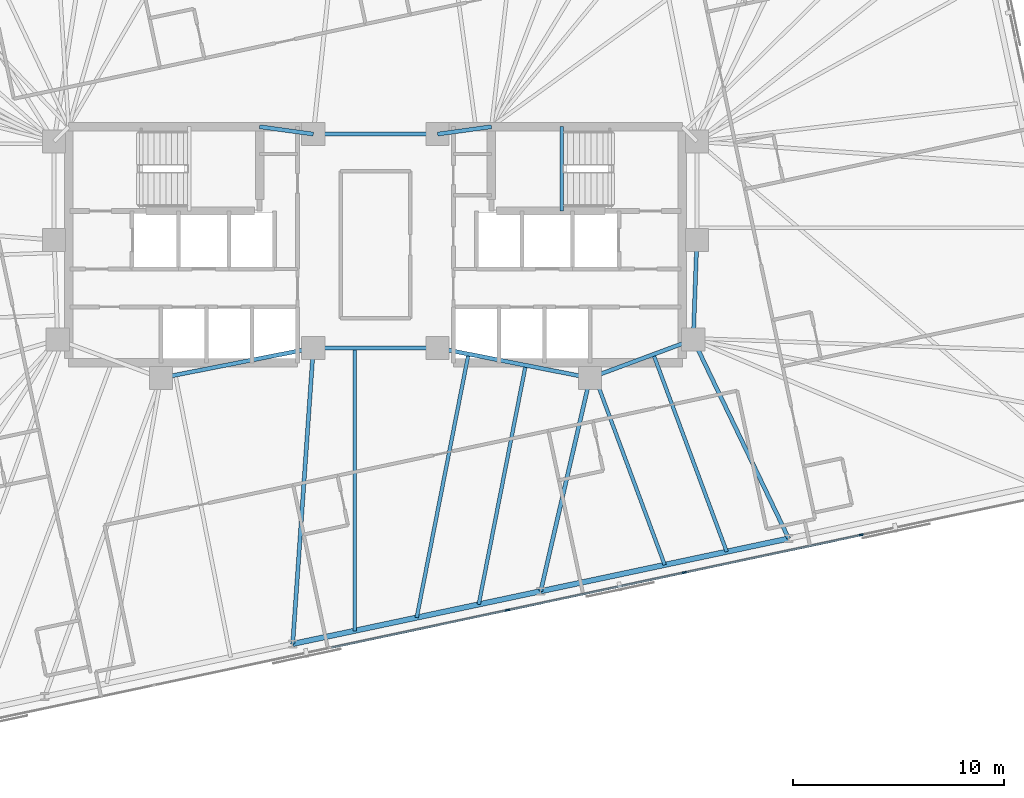
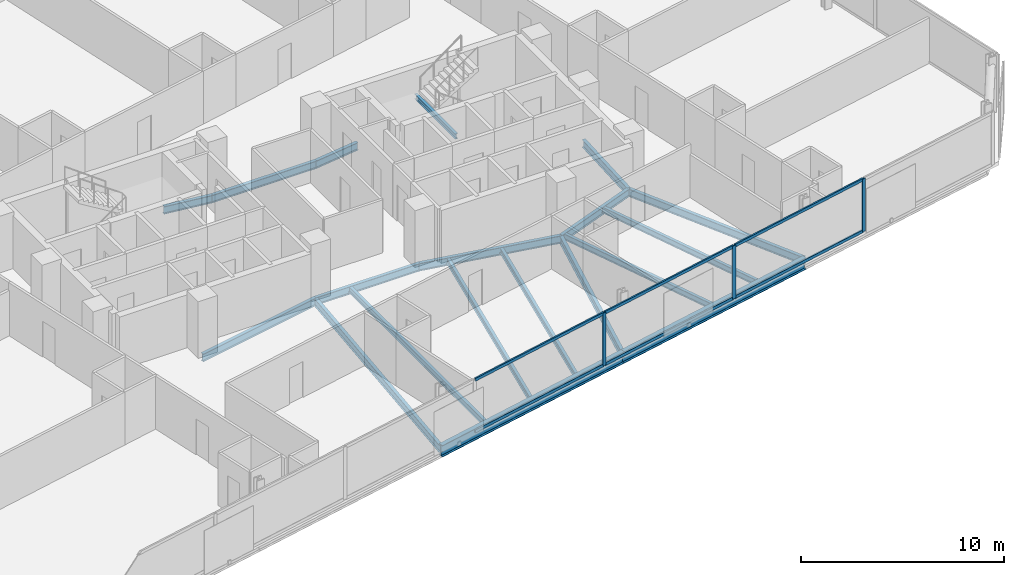
# One storey, part 7 of 19: 19 beams, 9 members, 1 element without a shape of its own.
"""IFC4 building model written with IfcOpenShell, lengths in metres."""

from ifc_helpers import new_model, si_unit, direction, frame, origin, origin_2d, place, context, subcontext, project, spatial, rectangle, i_section, extrude, material, material_profile, profile_set, type_object, element, aggregate, save


model = new_model("IFC4")

# Units and contexts
model_context = context("Model", 3, precision=1e-05, world=origin(), true_north=direction((0.0, 1.0)))
body_context = subcontext(model_context, "Body", "Model", "MODEL_VIEW")
ifc_project = project(units=[si_unit("LENGTHUNIT", "METRE"), si_unit("AREAUNIT", "SQUARE_METRE"), si_unit("VOLUMEUNIT", "CUBIC_METRE"), si_unit("PLANEANGLEUNIT", "RADIAN"), si_unit("MASSUNIT", "GRAM", prefix="KILO")], contexts=[model_context])

# Site, building, storey
site_placement = place(None, origin())
site = spatial("IfcSite", under=ifc_project, at=site_placement, CompositionType="ELEMENT")
building_placement = place(site_placement, origin())
building = spatial("IfcBuilding", under=site, at=building_placement, Name="Menara Jurai Vektor", CompositionType="ELEMENT")
storey_placement = place(building_placement, frame((0.0, 0.0, 154.800048828125)))
storey = spatial("IfcBuildingStorey", under=building, at=storey_placement, Name="L39", CompositionType="ELEMENT", Elevation=154.800048828125)

# Curtain wall, members
ifc_material_1 = material(Name="Anodised Pale Aluminium & Low-E Double Glazing", Category="aluminium")
curtain_wall_type = type_object("IfcCurtainWallType", Name="CW-BLK3", PredefinedType="NOTDEFINED", material=ifc_material_1)
curtain_wall_placement = place(storey_placement, origin())
curtain_wall = element("IfcCurtainWall", 1, at=curtain_wall_placement, inside=storey, type_object=curtain_wall_type, Name="Unitised Curtain Wall L39 F01", PredefinedType="NOTDEFINED")
ifc_material_2 = material(Name="Anodised Pale Aluminium Mullion", Category="aluminium")
ifc_material_profile_1 = material_profile(ifc_material_2, rectangle(XDim=0.0849609375, YDim=0.205078125, at=origin_2d()), Name="ALU MUL 85x205")
ifc_profile_set_1 = profile_set([ifc_material_profile_1], Name="Anodised Pale Aluminium Mullion")
member_type_1 = type_object("IfcMemberType", Name="CW-BLK3-MUL", PredefinedType="MULLION", material=ifc_profile_set_1)
member_1_placement = place(storey_placement, frame((6.264892578125, -17.338623046875, 0.0), z_axis=(0.0, 0.0, 1.0), x_axis=(-0.207911344156, 0.978147674419, 0.0)))
member_1 = element("IfcMember", 2, at=member_1_placement, type_object=member_type_1, Name="CW-03 mullion 5", PredefinedType="MULLION", context=body_context, shape_type="SweptSolid", body=[
    extrude(rectangle(XDim=0.0849609375, YDim=0.205078125, at=origin_2d()), origin(), (0.0, 0.0, 1.0), 3.175048828125),
])
member_2_placement = place(storey_placement, frame((14.65478515625, -15.55517578125, 0.0), z_axis=(0.0, 0.0, 1.0), x_axis=(-0.207911344156, 0.978147674419, 0.0)))
member_2 = element("IfcMember", 3, at=member_2_placement, type_object=member_type_1, Name="CW-03 mullion 6", PredefinedType="MULLION", context=body_context, shape_type="SweptSolid", body=[
    extrude(rectangle(XDim=0.0849609375, YDim=0.205078125, at=origin_2d()), origin(), (0.0, 0.0, 1.0), 3.175048828125),
])
member_3_placement = place(storey_placement, frame((23.04443359375, -13.77197265625, 0.0), z_axis=(0.0, 0.0, 1.0), x_axis=(-0.207911344156, 0.978147674419, 0.0)))
member_3 = element("IfcMember", 4, at=member_3_placement, type_object=member_type_1, Name="CW-03 mullion 7", PredefinedType="MULLION", context=body_context, shape_type="SweptSolid", body=[
    extrude(rectangle(XDim=0.0849609375, YDim=0.205078125, at=origin_2d()), origin(), (0.0, 0.0, 1.0), 3.175048828125),
])
ifc_material_3 = material(Name="Anodised Pale Aluminium Transom", Category="aluminium")
ifc_material_profile_2 = material_profile(ifc_material_3, rectangle(XDim=0.0849609375, YDim=0.175048828125, at=origin_2d()), Name="ALU TRN 85x175")
ifc_profile_set_2 = profile_set([ifc_material_profile_2], Name="Anodised Pale Aluminium Transom")
member_type_2 = type_object("IfcMemberType", Name="CW-BLK3-TRN", PredefinedType="USERDEFINED", material=ifc_profile_set_2)
member_4_placement = place(storey_placement, frame((-2.083251953125, -19.113037109375, 0.04248046875), z_axis=(0.978147743708, 0.207911018178, 0.0), x_axis=(-0.207911018178, 0.978147743708, 0.0)))
member_4 = element("IfcMember", 5, at=member_4_placement, type_object=member_type_2, Name="CW-03 transom 4.1", ObjectType="TRANSOM", PredefinedType="USERDEFINED", context=body_context, shape_type="SweptSolid", body=[
    extrude(rectangle(XDim=0.0849609375, YDim=0.175048828125, at=origin_2d()), origin(), (0.0, 0.0, 1.0), 8.4921875),
])
member_5_placement = place(storey_placement, frame((-2.083251953125, -19.113037109375, 3.132568359375), z_axis=(0.978147743708, 0.207911018178, 0.0), x_axis=(-0.207911018178, 0.978147743708, 0.0)))
member_5 = element("IfcMember", 6, at=member_5_placement, type_object=member_type_2, Name="CW-03 transom 4.2", ObjectType="TRANSOM", PredefinedType="USERDEFINED", context=body_context, shape_type="SweptSolid", body=[
    extrude(rectangle(XDim=0.0849609375, YDim=0.175048828125, at=origin_2d()), origin(), (0.0, 0.0, 1.0), 8.4921875),
])
member_6_placement = place(storey_placement, frame((6.306640625, -17.329833984375, 0.04248046875), z_axis=(0.978146500933, 0.207916864907, 0.0), x_axis=(-0.207916864907, 0.978146500933, 0.0)))
member_6 = element("IfcMember", 7, at=member_6_placement, type_object=member_type_2, Name="CW-03 transom 5.1", ObjectType="TRANSOM", PredefinedType="USERDEFINED", context=body_context, shape_type="SweptSolid", body=[
    extrude(rectangle(XDim=0.0849609375, YDim=0.175048828125, at=origin_2d()), origin(), (0.0, 0.0, 1.0), 8.491943359375),
])
member_7_placement = place(storey_placement, frame((6.306640625, -17.329833984375, 3.132568359375), z_axis=(0.978146500933, 0.207916864907, 0.0), x_axis=(-0.207916864907, 0.978146500933, 0.0)))
member_7 = element("IfcMember", 8, at=member_7_placement, type_object=member_type_2, Name="CW-03 transom 5.2", ObjectType="TRANSOM", PredefinedType="USERDEFINED", context=body_context, shape_type="SweptSolid", body=[
    extrude(rectangle(XDim=0.0849609375, YDim=0.175048828125, at=origin_2d()), origin(), (0.0, 0.0, 1.0), 8.491943359375),
])
member_8_placement = place(storey_placement, frame((14.6962890625, -15.54638671875, 0.04248046875), z_axis=(0.978147743708, 0.207911018178, 0.0), x_axis=(-0.207911018178, 0.978147743708, 0.0)))
member_8 = element("IfcMember", 9, at=member_8_placement, type_object=member_type_2, Name="CW-03 transom 6.1", ObjectType="TRANSOM", PredefinedType="USERDEFINED", context=body_context, shape_type="SweptSolid", body=[
    extrude(rectangle(XDim=0.0849609375, YDim=0.175048828125, at=origin_2d()), origin(), (0.0, 0.0, 1.0), 8.4921875),
])
member_9_placement = place(storey_placement, frame((14.6962890625, -15.54638671875, 3.132568359375), z_axis=(0.978147743708, 0.207911018178, 0.0), x_axis=(-0.207911018178, 0.978147743708, 0.0)))
member_9 = element("IfcMember", 10, at=member_9_placement, type_object=member_type_2, Name="CW-03 transom 6.2", ObjectType="TRANSOM", PredefinedType="USERDEFINED", context=body_context, shape_type="SweptSolid", body=[
    extrude(rectangle(XDim=0.0849609375, YDim=0.175048828125, at=origin_2d()), origin(), (0.0, 0.0, 1.0), 8.4921875),
])
aggregate(curtain_wall, [member_1, member_2, member_3, member_4, member_5, member_6, member_7, member_8, member_9])

# Beams
ifc_material_4 = material(Name="Steel S355", Category="steel")
ifc_material_profile_3 = material_profile(ifc_material_4, i_section(OverallWidth=0.19091796875, OverallDepth=0.4599609375, WebThickness=0.010009765625, FlangeThickness=0.01611328125, FilletRadius=0.010009765625, at=origin_2d()), Name="UKB 457x191x82")
ifc_profile_set_3 = profile_set([ifc_material_profile_3], Name="Steel S355")
beam_type_1 = type_object("IfcBeamType", Name="STR-BM-457", PredefinedType="BEAM", material=ifc_profile_set_3)
beam_1_placement = place(storey_placement, frame((-5.5, 5.60009765625, -0.455078125), z_axis=(0.990706818608, -0.136014703483, 0.0), x_axis=(0.136014703483, 0.990706818608, 0.0)))
element("IfcBeam", 11, at=beam_1_placement, inside=storey, type_object=beam_type_1, Name="Core Ring Header Girder L39-CHW-N2", PredefinedType="BEAM", context=body_context, shape_type="SweptSolid", body=[
    extrude(i_section(OverallWidth=0.19091796875, OverallDepth=0.4599609375, WebThickness=0.010009765625, FlangeThickness=0.01611328125, FilletRadius=0.010009765625, at=origin_2d()), origin(), (0.0, 0.0, 1.0), 2.573974609375),
])
beam_2_placement = place(storey_placement, frame((-10.179931640625, -6.320068359375, -0.455078125), z_axis=(0.981249044334, 0.192744164614, 0.0), x_axis=(-0.192744164614, 0.981249044334, 0.0)))
element("IfcBeam", 12, at=beam_2_placement, inside=storey, type_object=beam_type_1, Name="Core Ring Header Girder L39-CHW-S2", PredefinedType="BEAM", context=body_context, shape_type="SweptSolid", body=[
    extrude(i_section(OverallWidth=0.19091796875, OverallDepth=0.4599609375, WebThickness=0.010009765625, FlangeThickness=0.01611328125, FilletRadius=0.010009765625, at=origin_2d()), origin(), (0.0, 0.0, 1.0), 7.3681640625),
])
beam_3_placement = place(storey_placement, frame((2.949951171875, 5.25, -0.455078125), z_axis=(0.990706818608, 0.136014703483, 0.0), x_axis=(-0.136014703483, 0.990706818608, 0.0)))
element("IfcBeam", 13, at=beam_3_placement, inside=storey, type_object=beam_type_1, Name="Core Ring Header Girder L39-CHE-N1", PredefinedType="BEAM", context=body_context, shape_type="SweptSolid", body=[
    extrude(i_section(OverallWidth=0.19091796875, OverallDepth=0.4599609375, WebThickness=0.010009765625, FlangeThickness=0.01611328125, FilletRadius=0.010009765625, at=origin_2d()), origin(), (0.0, 0.0, 1.0), 2.573974609375),
])
beam_4_placement = place(storey_placement, frame((15.080078125, -4.5, -0.455078125), z_axis=(0.035977314146, 0.999352606874, 0.0), x_axis=(-0.999352606874, 0.035977314146, 0.0)))
element("IfcBeam", 14, at=beam_4_placement, inside=storey, type_object=beam_type_1, Name="Core Ring Header Girder L39-CHE-E2", PredefinedType="BEAM", context=body_context, shape_type="SweptSolid", body=[
    extrude(i_section(OverallWidth=0.19091796875, OverallDepth=0.4599609375, WebThickness=0.010009765625, FlangeThickness=0.01611328125, FilletRadius=0.010009765625, at=origin_2d()), origin(), (0.0, 0.0, 1.0), 4.72314453125),
])
beam_5_placement = place(storey_placement, frame((10.179931640625, -6.320068359375, -0.455078125), z_axis=(0.937424400887, 0.348188874925, 0.0), x_axis=(-0.348188874925, 0.937424400887, 0.0)))
element("IfcBeam", 15, at=beam_5_placement, inside=storey, type_object=beam_type_1, Name="Core Ring Header Girder L39-CHE-S1", PredefinedType="BEAM", context=body_context, shape_type="SweptSolid", body=[
    extrude(i_section(OverallWidth=0.19091796875, OverallDepth=0.4599609375, WebThickness=0.010009765625, FlangeThickness=0.01611328125, FilletRadius=0.010009765625, at=origin_2d()), origin(), (0.0, 0.0, 1.0), 5.227294921875),
])
beam_6_placement = place(storey_placement, frame((2.949951171875, -4.89990234375, -0.455078125), z_axis=(0.981249044334, -0.192744164614, 0.0), x_axis=(0.192744164614, 0.981249044334, 0.0)))
element("IfcBeam", 16, at=beam_6_placement, inside=storey, type_object=beam_type_1, Name="Core Ring Header Girder L39-CHE-S2", PredefinedType="BEAM", context=body_context, shape_type="SweptSolid", body=[
    extrude(i_section(OverallWidth=0.19091796875, OverallDepth=0.4599609375, WebThickness=0.010009765625, FlangeThickness=0.01611328125, FilletRadius=0.010009765625, at=origin_2d()), origin(), (0.0, 0.0, 1.0), 7.3681640625),
])
for number, where, z_axis, x_axis, name in (
    (17, (-2.949951171875, -4.89990234375, -0.455078125), (1.0, 0.0, 0.0), (0.0, 1.0, 0.0), "Core Ring Header Girder L39-CC-1"),
    (18, (-2.949951171875, 5.25, -0.455078125), (1.0, 0.0, 0.0), (0.0, 1.0, 0.0), "Core Ring Header Girder L39-CC-2"),
):
    element("IfcBeam", number, at=place(storey_placement, frame(where, z_axis=z_axis, x_axis=x_axis)), inside=storey, type_object=beam_type_1, Name=name, PredefinedType="BEAM", context=body_context, shape_type="SweptSolid", body=[
        extrude(i_section(OverallWidth=0.19091796875, OverallDepth=0.4599609375, WebThickness=0.010009765625, FlangeThickness=0.01611328125, FilletRadius=0.010009765625, at=origin_2d()), origin(), (0.0, 0.0, 1.0), 5.89990234375),
    ])
beam_7_placement = place(storey_placement, frame((-3.928466796875, -18.94287109375, -0.455078125), z_axis=(0.06951156523, 0.997581145722, 0.0), x_axis=(-0.997581145722, 0.06951156523, 0.0)))
element("IfcBeam", 19, at=beam_7_placement, inside=storey, type_object=beam_type_1, Name="Radial Floor Girder L39-S3", PredefinedType="BEAM", context=body_context, shape_type="SweptSolid", body=[
    extrude(i_section(OverallWidth=0.19091796875, OverallDepth=0.4599609375, WebThickness=0.010009765625, FlangeThickness=0.01611328125, FilletRadius=0.010009765625, at=origin_2d()), origin(), (0.0, 0.0, 1.0), 14.076904296875),
])
beam_8_placement = place(storey_placement, frame((7.83984375, -16.44140625, -0.455078125), z_axis=(0.225261124248, 0.974298427538, 0.0), x_axis=(-0.974298427538, 0.225261124248, 0.0)))
element("IfcBeam", 20, at=beam_8_placement, inside=storey, type_object=beam_type_1, Name="Radial Floor Girder L39-S4", PredefinedType="BEAM", context=body_context, shape_type="SweptSolid", body=[
    extrude(i_section(OverallWidth=0.19091796875, OverallDepth=0.4599609375, WebThickness=0.010009765625, FlangeThickness=0.01611328125, FilletRadius=0.010009765625, at=origin_2d()), origin(), (0.0, 0.0, 1.0), 10.388427734375),
])
beam_9_placement = place(storey_placement, frame((19.608154296875, -13.940185546875, -0.455078125), z_axis=(-0.432481646932, 0.901642736935, 0.0), x_axis=(-0.901642736935, -0.432481646932, 0.0)))
element("IfcBeam", 21, at=beam_9_placement, inside=storey, type_object=beam_type_1, Name="Radial Floor Girder L39-S5", PredefinedType="BEAM", context=body_context, shape_type="SweptSolid", body=[
    extrude(i_section(OverallWidth=0.19091796875, OverallDepth=0.4599609375, WebThickness=0.010009765625, FlangeThickness=0.01611328125, FilletRadius=0.010009765625, at=origin_2d()), origin(), (0.0, 0.0, 1.0), 10.469970703125),
])
ifc_material_profile_4 = material_profile(ifc_material_4, i_section(OverallWidth=0.172119140625, OverallDepth=0.35498046875, WebThickness=0.007080078125, FlangeThickness=0.011962890625, FilletRadius=0.010009765625, at=origin_2d()), Name="UKB 356x171x51")
ifc_profile_set_4 = profile_set([ifc_material_profile_4], Name="Steel S355")
beam_type_2 = type_object("IfcBeamType", Name="STR-JS-356", PredefinedType="JOIST", material=ifc_profile_set_4)
beam_10_placement = place(storey_placement, frame((-0.986328125, -18.3173828125, -0.402587890625), z_axis=(0.0, 1.0, 0.0), x_axis=(-1.0, 0.0, 0.0)))
element("IfcBeam", 22, at=beam_10_placement, inside=storey, type_object=beam_type_2, Name="Radial Secondary Floor Joist L39-JS05", PredefinedType="JOIST", context=body_context, shape_type="SweptSolid", body=[
    extrude(i_section(OverallWidth=0.172119140625, OverallDepth=0.35498046875, WebThickness=0.007080078125, FlangeThickness=0.011962890625, FilletRadius=0.010009765625, at=origin_2d()), origin(), (0.0, 0.0, 1.0), 13.41748046875),
])
beam_11_placement = place(storey_placement, frame((1.955810546875, -17.692138671875, -0.402587890625), z_axis=(0.192721917664, 0.981253413982, 0.0), x_axis=(-0.981253413982, 0.192721917664, 0.0)))
element("IfcBeam", 23, at=beam_11_placement, inside=storey, type_object=beam_type_2, Name="Radial Secondary Floor Joist L39-JS06", PredefinedType="JOIST", context=body_context, shape_type="SweptSolid", body=[
    extrude(i_section(OverallWidth=0.172119140625, OverallDepth=0.35498046875, WebThickness=0.007080078125, FlangeThickness=0.011962890625, FilletRadius=0.010009765625, at=origin_2d()), origin(), (0.0, 0.0, 1.0), 12.744140625),
])
beam_12_placement = place(storey_placement, frame((4.897705078125, -17.06689453125, -0.402587890625), z_axis=(0.19272061905, 0.981253669034, 0.0), x_axis=(-0.981253669034, 0.19272061905, 0.0)))
element("IfcBeam", 24, at=beam_12_placement, inside=storey, type_object=beam_type_2, Name="Radial Secondary Floor Joist L39-JS07", PredefinedType="JOIST", context=body_context, shape_type="SweptSolid", body=[
    extrude(i_section(OverallWidth=0.172119140625, OverallDepth=0.35498046875, WebThickness=0.007080078125, FlangeThickness=0.011962890625, FilletRadius=0.010009765625, at=origin_2d()), origin(), (0.0, 0.0, 1.0), 11.5634765625),
])
beam_13_placement = place(storey_placement, frame((13.72412109375, -15.19091796875, -0.402587890625), z_axis=(-0.348196799641, 0.93742145736, 0.0), x_axis=(-0.93742145736, -0.348196799641, 0.0)))
element("IfcBeam", 25, at=beam_13_placement, inside=storey, type_object=beam_type_2, Name="Radial Secondary Floor Joist L39-JS08", PredefinedType="JOIST", context=body_context, shape_type="SweptSolid", body=[
    extrude(i_section(OverallWidth=0.172119140625, OverallDepth=0.35498046875, WebThickness=0.007080078125, FlangeThickness=0.011962890625, FilletRadius=0.010009765625, at=origin_2d()), origin(), (0.0, 0.0, 1.0), 9.5498046875),
])
beam_14_placement = place(storey_placement, frame((16.666015625, -14.5654296875, -0.402587890625), z_axis=(-0.348180392292, 0.93742755156, 0.0), x_axis=(-0.93742755156, -0.348180392292, 0.0)))
element("IfcBeam", 26, at=beam_14_placement, inside=storey, type_object=beam_type_2, Name="Radial Secondary Floor Joist L39-JS09", PredefinedType="JOIST", context=body_context, shape_type="SweptSolid", body=[
    extrude(i_section(OverallWidth=0.172119140625, OverallDepth=0.35498046875, WebThickness=0.007080078125, FlangeThickness=0.011962890625, FilletRadius=0.010009765625, at=origin_2d()), origin(), (0.0, 0.0, 1.0), 9.98779296875),
])
ifc_material_profile_5 = material_profile(ifc_material_4, i_section(OverallWidth=0.1650390625, OverallDepth=0.302978515625, WebThickness=0.006103515625, FlangeThickness=0.010009765625, FilletRadius=0.009033203125, at=origin_2d()), Name="UKB 305x165x40")
ifc_profile_set_5 = profile_set([ifc_material_profile_5], Name="Steel S355")
beam_type_3 = type_object("IfcBeamType", Name="STR-LN-305", PredefinedType="LINTEL", material=ifc_profile_set_5)
beam_15_placement = place(storey_placement, frame((8.830078125, 1.60009765625, 1.348388671875), z_axis=(0.0, 1.0, 0.0), x_axis=(-1.0, 0.0, 0.0)))
element("IfcBeam", 27, at=beam_15_placement, inside=storey, type_object=beam_type_3, Name="Stair Half-Landing Nosing Trimmer ST2-1 L39", PredefinedType="LINTEL", context=body_context, shape_type="SweptSolid", body=[
    extrude(i_section(OverallWidth=0.1650390625, OverallDepth=0.302978515625, WebThickness=0.006103515625, FlangeThickness=0.010009765625, FilletRadius=0.009033203125, at=origin_2d()), origin(), (0.0, 0.0, 1.0), 4.0),
])
ifc_material_5 = material(Name="Steel S460", Category="steel")
ifc_material_profile_6 = material_profile(ifc_material_5, i_section(OverallWidth=0.256103515625, OverallDepth=0.693115234375, WebThickness=0.013916015625, FlangeThickness=0.02392578125, FilletRadius=0.014892578125, at=origin_2d()), Name="UKB 686x254x170")
ifc_profile_set_6 = profile_set([ifc_material_profile_6], Name="Steel S460")
beam_type_4 = type_object("IfcBeamType", Name="STR-SP-686", PredefinedType="SPANDREL", material=ifc_profile_set_6)
for number, where, z_axis, x_axis, name in (
    (28, (-3.928466796875, -18.94287109375, -0.571533203125), (0.978147039247, 0.207914332389, 0.0), (-0.207914332389, 0.978147039247, 0.0), "Exoskeleton Spandrel Beam L39-03"),
    (29, (7.83984375, -16.44140625, -0.571533203125), (0.978151165921, 0.207894917222, 0.0), (-0.207894917222, 0.978151165921, 0.0), "Exoskeleton Spandrel Beam L39-04"),
):
    element("IfcBeam", number, at=place(storey_placement, frame(where, z_axis=z_axis, x_axis=x_axis)), inside=storey, type_object=beam_type_4, Name=name, PredefinedType="SPANDREL", context=body_context, shape_type="SweptSolid", body=[
        extrude(i_section(OverallWidth=0.256103515625, OverallDepth=0.693115234375, WebThickness=0.013916015625, FlangeThickness=0.02392578125, FilletRadius=0.014892578125, at=origin_2d()), origin(), (0.0, 0.0, 1.0), 12.03125),
    ])

save(model, "model.ifc")
